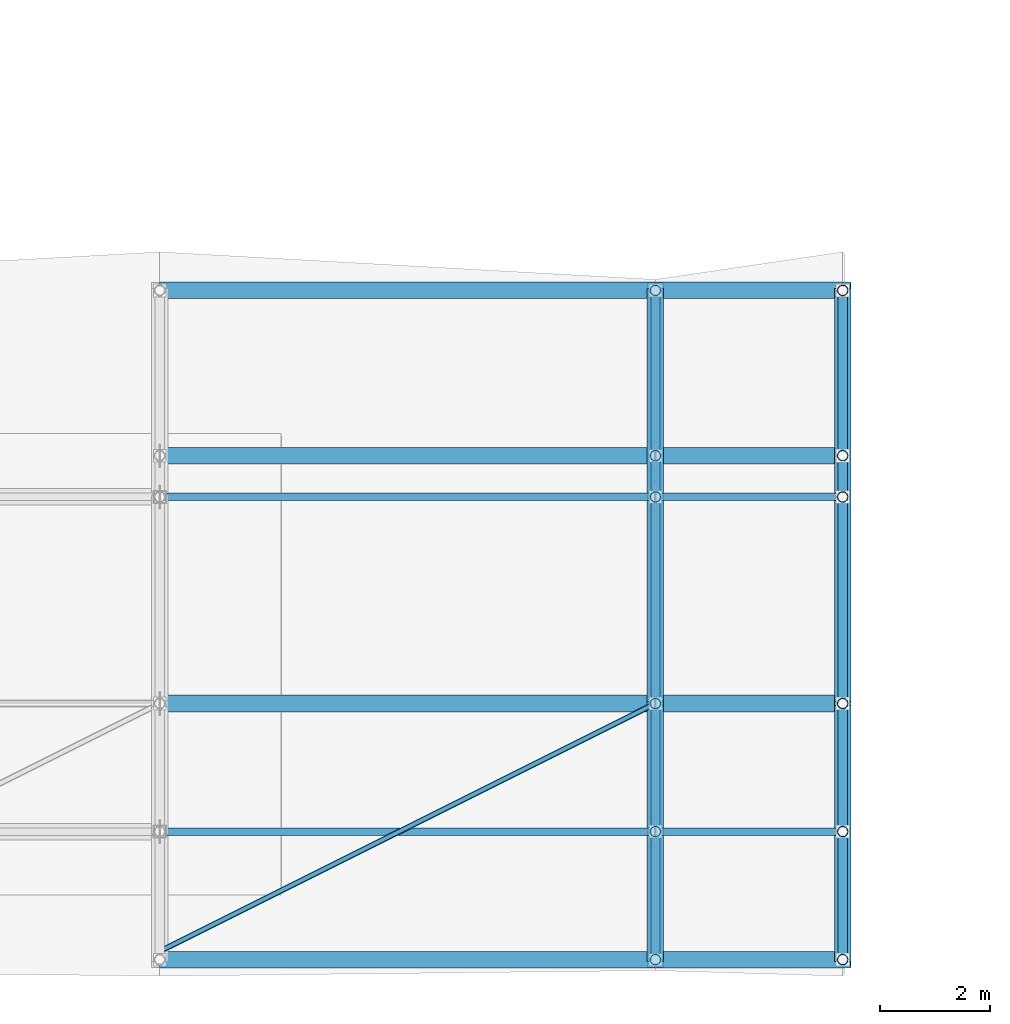
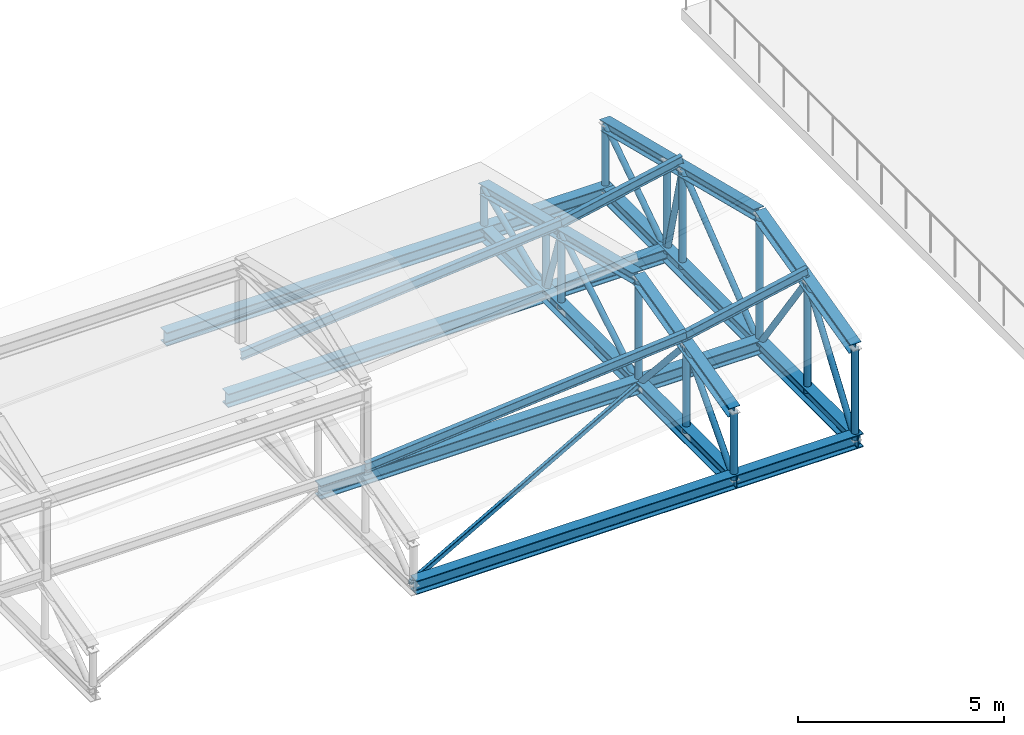
# One storey, part 16 of 55: 31 members, 6 beams.
"""IFC4 building model written with IfcOpenShell, lengths in metres."""

from ifc_helpers import new_model, si_unit, direction, frame, origin, origin_2d, place, context, subcontext, project, spatial, hollow_rectangle, hollow_circle, i_section, extrude, material, material_profile, profile_set, type_object, element, save


model = new_model("IFC4")

# Units and contexts
model_context = context("Model", 3, precision=1e-05, world=origin(), true_north=direction((0.0, 1.0)))
body_context = subcontext(model_context, "Body", "Model", "MODEL_VIEW")
ifc_project = project(units=[si_unit("LENGTHUNIT", "METRE"), si_unit("AREAUNIT", "SQUARE_METRE"), si_unit("VOLUMEUNIT", "CUBIC_METRE"), si_unit("PLANEANGLEUNIT", "RADIAN"), si_unit("MASSUNIT", "GRAM", prefix="KILO")], contexts=[model_context])

# Site, building, storey
site_placement = place(None, origin())
site = spatial("IfcSite", under=ifc_project, at=site_placement, CompositionType="ELEMENT")
building_placement = place(site_placement, origin())
building = spatial("IfcBuilding", under=site, at=building_placement, Name="Bozkorgan Art Gallery", CompositionType="ELEMENT")
storey_placement = place(building_placement, frame((0.0, 0.0, 15.0)))
storey = spatial("IfcBuildingStorey", under=building, at=storey_placement, Name="L03", CompositionType="ELEMENT", Elevation=15.0)

# Beams
ifc_material = material(Name="Steel S355J2", Category="steel")
ifc_material_profile_1 = material_profile(ifc_material, i_section(OverallWidth=0.300048828125, OverallDepth=0.39990234375, WebThickness=0.013427734375, FlangeThickness=0.02392578125, FilletRadius=0.027099609375, at=origin_2d()), Name="HEB 400")
ifc_profile_set_1 = profile_set([ifc_material_profile_1], Name="Steel S355J2")
beam_type = type_object("IfcBeamType", Name="BEAM-TO-32", PredefinedType="BEAM", material=ifc_profile_set_1)
for number, where, z_axis, x_axis, name in (
    (1, (110.0, 1.85009765625, 0.199951171875), (1.0, 0.0, 0.0), (0.0, 1.0, 0.0), "ROOF-V3-MAIN east overhang continuous truss chord 1"),
    (2, (110.0, 6.5, 0.199951171875), (1.0, 0.0, 0.0), (0.0, 1.0, 0.0), "ROOF-V3-MAIN east overhang continuous truss chord 2"),
    (3, (110.0, 11.0, 0.199951171875), (1.0, 0.0, 0.0), (0.0, 1.0, 0.0), "ROOF-V3-MAIN east overhang continuous truss chord 3"),
    (4, (110.0, 14.0, 0.199951171875), (1.0, 0.0, 0.0), (0.0, 1.0, 0.0), "ROOF-V3-MAIN east overhang continuous truss chord 4"),
):
    element("IfcBeam", number, at=place(storey_placement, frame(where, z_axis=z_axis, x_axis=x_axis)), inside=storey, type_object=beam_type, Name=name, PredefinedType="BEAM", context=body_context, shape_type="SweptSolid", body=[
        extrude(i_section(OverallWidth=0.300048828125, OverallDepth=0.39990234375, WebThickness=0.013427734375, FlangeThickness=0.02392578125, FilletRadius=0.027099609375, at=origin_2d()), origin(), (0.0, 0.0, 1.0), 12.5400390625),
    ])
for number, where, z_axis, x_axis, name in (
    (5, (119.0, 1.7099609375, 0.199951171875), (0.0, 1.0, 0.0), (-1.0, 0.0, 0.0), "ROOF-V3-MAIN roof truss 6 bottom chord"),
    (6, (122.39990234375, 1.7099609375, 0.199951171875), (0.0, 1.0, 0.0), (-1.0, 0.0, 0.0), "ROOF-V3-MAIN overhang fascia truss 7 bottom chord"),
):
    element("IfcBeam", number, at=place(storey_placement, frame(where, z_axis=z_axis, x_axis=x_axis)), inside=storey, type_object=beam_type, Name=name, PredefinedType="BEAM", context=body_context, shape_type="SweptSolid", body=[
        extrude(i_section(OverallWidth=0.300048828125, OverallDepth=0.39990234375, WebThickness=0.013427734375, FlangeThickness=0.02392578125, FilletRadius=0.027099609375, at=origin_2d()), origin(), (0.0, 0.0, 1.0), 12.429931640625),
    ])

# Members
ifc_material_profile_2 = material_profile(ifc_material, hollow_circle(Radius=0.096923828125, WallThickness=0.008056640625, at=origin_2d()), Name="CHS 193.7x8")
ifc_profile_set_2 = profile_set([ifc_material_profile_2], Name="Steel S355J2")
member_type_1 = type_object("IfcMemberType", Name="MEMBER-PO-46", PredefinedType="POST", material=ifc_profile_set_2)
member_1_placement = place(storey_placement, frame((122.39990234375, 1.85009765625, 0.199951171875), z_axis=(0.0, 0.0, 1.0), x_axis=(1.0, 0.0, 0.0)))
element("IfcMember", 7, at=member_1_placement, inside=storey, type_object=member_type_1, Name="ROOF-V3-MAIN roof truss 7 post 0", PredefinedType="POST", context=body_context, shape_type="SweptSolid", body=[
    extrude(hollow_circle(Radius=0.096923828125, WallThickness=0.008056640625, at=origin_2d()), origin(), (0.0, 0.0, 1.0), 2.705322265625),
])
member_2_placement = place(storey_placement, frame((122.39990234375, 4.175048828125, 0.199951171875), z_axis=(0.0, 0.0, 1.0), x_axis=(1.0, 0.0, 0.0)))
element("IfcMember", 8, at=member_2_placement, inside=storey, type_object=member_type_1, Name="ROOF-V3-MAIN roof truss 7 post 1", PredefinedType="POST", context=body_context, shape_type="SweptSolid", body=[
    extrude(hollow_circle(Radius=0.096923828125, WallThickness=0.008056640625, at=origin_2d()), origin(), (0.0, 0.0, 1.0), 3.284912109375),
])
member_3_placement = place(storey_placement, frame((122.39990234375, 6.5, 0.199951171875), z_axis=(0.0, 0.0, 1.0), x_axis=(1.0, 0.0, 0.0)))
element("IfcMember", 9, at=member_3_placement, inside=storey, type_object=member_type_1, Name="ROOF-V3-MAIN roof truss 7 post 2", PredefinedType="POST", context=body_context, shape_type="SweptSolid", body=[
    extrude(hollow_circle(Radius=0.096923828125, WallThickness=0.008056640625, at=origin_2d()), origin(), (0.0, 0.0, 1.0), 3.86474609375),
])
member_4_placement = place(storey_placement, frame((122.39990234375, 10.25, 0.199951171875), z_axis=(0.0, 0.0, 1.0), x_axis=(1.0, 0.0, 0.0)))
element("IfcMember", 10, at=member_4_placement, inside=storey, type_object=member_type_1, Name="ROOF-V3-MAIN roof truss 7 post 3", PredefinedType="POST", context=body_context, shape_type="SweptSolid", body=[
    extrude(hollow_circle(Radius=0.096923828125, WallThickness=0.008056640625, at=origin_2d()), origin(), (0.0, 0.0, 1.0), 2.9296875),
])
member_5_placement = place(storey_placement, frame((122.39990234375, 11.0, 0.199951171875), z_axis=(0.0, 0.0, 1.0), x_axis=(1.0, 0.0, 0.0)))
element("IfcMember", 11, at=member_5_placement, inside=storey, type_object=member_type_1, Name="ROOF-V3-MAIN roof truss 7 post 4", PredefinedType="POST", context=body_context, shape_type="SweptSolid", body=[
    extrude(hollow_circle(Radius=0.096923828125, WallThickness=0.008056640625, at=origin_2d()), origin(), (0.0, 0.0, 1.0), 2.74267578125),
])
member_6_placement = place(storey_placement, frame((122.39990234375, 14.0, 0.199951171875), z_axis=(0.0, 0.0, 1.0), x_axis=(1.0, 0.0, 0.0)))
element("IfcMember", 12, at=member_6_placement, inside=storey, type_object=member_type_1, Name="ROOF-V3-MAIN roof truss 7 post 5", PredefinedType="POST", context=body_context, shape_type="SweptSolid", body=[
    extrude(hollow_circle(Radius=0.096923828125, WallThickness=0.008056640625, at=origin_2d()), origin(), (0.0, 0.0, 1.0), 1.99462890625),
])
ifc_material_profile_3 = material_profile(ifc_material, i_section(OverallWidth=0.135009765625, OverallDepth=0.27001953125, WebThickness=0.006591796875, FlangeThickness=0.01025390625, FilletRadius=0.014892578125, at=origin_2d()), Name="IPE 270")
ifc_profile_set_3 = profile_set([ifc_material_profile_3], Name="Steel S355J2")
member_type_2 = type_object("IfcMemberType", Name="MEMBER-PR-57", PredefinedType="PURLIN", material=ifc_profile_set_3)
for number, where, z_axis, x_axis, name in (
    (13, (110.0, 4.175048828125, 2.29638671875), (0.996276805455, 0.0, 0.086212104205), (0.0, 1.0, 0.0), "ROOF-V3-MAIN roof purlin 5S"),
    (14, (110.0, 10.25, 1.941162109375), (0.996276805455, 0.0, 0.086212104205), (0.0, 1.0, 0.0), "ROOF-V3-MAIN roof purlin 5N"),
):
    element("IfcMember", number, at=place(storey_placement, frame(where, z_axis=z_axis, x_axis=x_axis)), inside=storey, type_object=member_type_2, Name=name, PredefinedType="PURLIN", context=body_context, shape_type="SweptSolid", body=[
        extrude(i_section(OverallWidth=0.135009765625, OverallDepth=0.27001953125, WebThickness=0.006591796875, FlangeThickness=0.01025390625, FilletRadius=0.014892578125, at=origin_2d()), origin(), (0.0, 0.0, 1.0), 9.03369140625),
    ])
for number, where, z_axis, x_axis, name in (
    (15, (119.0, 4.175048828125, 3.0751953125), (0.979472566385, 0.0, 0.201577507918), (0.0, 1.0, 0.0), "ROOF-V3-MAIN roof purlin 6S"),
    (16, (119.0, 10.25, 2.719970703125), (0.979472566385, 0.0, 0.201577507918), (0.0, 1.0, 0.0), "ROOF-V3-MAIN roof purlin 6N"),
):
    element("IfcMember", number, at=place(storey_placement, frame(where, z_axis=z_axis, x_axis=x_axis)), inside=storey, type_object=member_type_2, Name=name, PredefinedType="PURLIN", context=body_context, shape_type="SweptSolid", body=[
        extrude(i_section(OverallWidth=0.135009765625, OverallDepth=0.27001953125, WebThickness=0.006591796875, FlangeThickness=0.01025390625, FilletRadius=0.014892578125, at=origin_2d()), origin(), (0.0, 0.0, 1.0), 3.47119140625),
    ])
ifc_material_profile_4 = material_profile(ifc_material, i_section(OverallWidth=0.300048828125, OverallDepth=0.31005859375, WebThickness=0.009033203125, FlangeThickness=0.015380859375, FilletRadius=0.027099609375, at=origin_2d()), Name="HEA 320")
ifc_profile_set_4 = profile_set([ifc_material_profile_4], Name="Steel S355J2")
member_type_3 = type_object("IfcMemberType", Name="MEMBER-TC-13", PredefinedType="CHORD", material=ifc_profile_set_4)
member_7_placement = place(storey_placement, frame((119.0, 1.85009765625, 2.20556640625), z_axis=(0.0, 0.970292152268, 0.241936229713), x_axis=(-1.0, 0.0, 0.0)))
element("IfcMember", 17, at=member_7_placement, inside=storey, type_object=member_type_3, Name="ROOF-V3-MAIN roof truss 6 south top chord", PredefinedType="CHORD", context=body_context, shape_type="SweptSolid", body=[
    extrude(i_section(OverallWidth=0.300048828125, OverallDepth=0.31005859375, WebThickness=0.009033203125, FlangeThickness=0.015380859375, FilletRadius=0.027099609375, at=origin_2d()), origin(), (0.0, 0.0, 1.0), 4.792236328125),
])
member_8_placement = place(storey_placement, frame((119.0, 6.5, 3.364990234375), z_axis=(0.0, 0.970290953223, -0.241941038466), x_axis=(-1.0, 0.0, 0.0)))
element("IfcMember", 18, at=member_8_placement, inside=storey, type_object=member_type_3, Name="ROOF-V3-MAIN roof truss 6 north top chord", PredefinedType="CHORD", context=body_context, shape_type="SweptSolid", body=[
    extrude(i_section(OverallWidth=0.300048828125, OverallDepth=0.31005859375, WebThickness=0.009033203125, FlangeThickness=0.015380859375, FilletRadius=0.027099609375, at=origin_2d()), origin(), (0.0, 0.0, 1.0), 7.729736328125),
])
member_9_placement = place(storey_placement, frame((122.39990234375, 1.85009765625, 2.9052734375), z_axis=(0.0, 0.970292152268, 0.241936229713), x_axis=(-1.0, 0.0, 0.0)))
element("IfcMember", 19, at=member_9_placement, inside=storey, type_object=member_type_3, Name="ROOF-V3-MAIN roof truss 7 south top chord", PredefinedType="CHORD", context=body_context, shape_type="SweptSolid", body=[
    extrude(i_section(OverallWidth=0.300048828125, OverallDepth=0.31005859375, WebThickness=0.009033203125, FlangeThickness=0.015380859375, FilletRadius=0.027099609375, at=origin_2d()), origin(), (0.0, 0.0, 1.0), 4.792236328125),
])
member_10_placement = place(storey_placement, frame((122.39990234375, 6.5, 4.064697265625), z_axis=(0.0, 0.970290953223, -0.241941038466), x_axis=(-1.0, 0.0, 0.0)))
element("IfcMember", 20, at=member_10_placement, inside=storey, type_object=member_type_3, Name="ROOF-V3-MAIN roof truss 7 north top chord", PredefinedType="CHORD", context=body_context, shape_type="SweptSolid", body=[
    extrude(i_section(OverallWidth=0.300048828125, OverallDepth=0.31005859375, WebThickness=0.009033203125, FlangeThickness=0.015380859375, FilletRadius=0.027099609375, at=origin_2d()), origin(), (0.0, 0.0, 1.0), 7.729736328125),
])
ifc_material_profile_5 = material_profile(ifc_material, hollow_circle(Radius=0.096923828125, WallThickness=0.008056640625, at=origin_2d()), Name="CHS 193.7x8")
ifc_profile_set_5 = profile_set([ifc_material_profile_5], Name="Steel S355J2")
member_type_4 = type_object("IfcMemberType", Name="MEMBER-TP-46", PredefinedType="POST", material=ifc_profile_set_5)
member_11_placement = place(storey_placement, frame((119.0, 1.85009765625, 0.199951171875), z_axis=(0.0, 0.0, 1.0), x_axis=(1.0, 0.0, 0.0)))
element("IfcMember", 21, at=member_11_placement, inside=storey, type_object=member_type_4, Name="ROOF-V3-MAIN roof truss 6 post 0", PredefinedType="POST", context=body_context, shape_type="SweptSolid", body=[
    extrude(hollow_circle(Radius=0.096923828125, WallThickness=0.008056640625, at=origin_2d()), origin(), (0.0, 0.0, 1.0), 2.005615234375),
])
member_12_placement = place(storey_placement, frame((119.0, 4.175048828125, 0.199951171875), z_axis=(0.0, 0.0, 1.0), x_axis=(1.0, 0.0, 0.0)))
element("IfcMember", 22, at=member_12_placement, inside=storey, type_object=member_type_4, Name="ROOF-V3-MAIN roof truss 6 post 1", PredefinedType="POST", context=body_context, shape_type="SweptSolid", body=[
    extrude(hollow_circle(Radius=0.096923828125, WallThickness=0.008056640625, at=origin_2d()), origin(), (0.0, 0.0, 1.0), 2.585205078125),
])
member_13_placement = place(storey_placement, frame((119.0, 6.5, 0.199951171875), z_axis=(0.0, 0.0, 1.0), x_axis=(1.0, 0.0, 0.0)))
element("IfcMember", 23, at=member_13_placement, inside=storey, type_object=member_type_4, Name="ROOF-V3-MAIN roof truss 6 post 2", PredefinedType="POST", context=body_context, shape_type="SweptSolid", body=[
    extrude(hollow_circle(Radius=0.096923828125, WallThickness=0.008056640625, at=origin_2d()), origin(), (0.0, 0.0, 1.0), 3.1650390625),
])
member_14_placement = place(storey_placement, frame((119.0, 10.25, 0.199951171875), z_axis=(0.0, 0.0, 1.0), x_axis=(1.0, 0.0, 0.0)))
element("IfcMember", 24, at=member_14_placement, inside=storey, type_object=member_type_4, Name="ROOF-V3-MAIN roof truss 6 post 3", PredefinedType="POST", context=body_context, shape_type="SweptSolid", body=[
    extrude(hollow_circle(Radius=0.096923828125, WallThickness=0.008056640625, at=origin_2d()), origin(), (0.0, 0.0, 1.0), 2.22998046875),
])
member_15_placement = place(storey_placement, frame((119.0, 11.0, 0.199951171875), z_axis=(0.0, 0.0, 1.0), x_axis=(1.0, 0.0, 0.0)))
element("IfcMember", 25, at=member_15_placement, inside=storey, type_object=member_type_4, Name="ROOF-V3-MAIN roof truss 6 post 4", PredefinedType="POST", context=body_context, shape_type="SweptSolid", body=[
    extrude(hollow_circle(Radius=0.096923828125, WallThickness=0.008056640625, at=origin_2d()), origin(), (0.0, 0.0, 1.0), 2.04296875),
])
member_16_placement = place(storey_placement, frame((119.0, 14.0, 0.199951171875), z_axis=(0.0, 0.0, 1.0), x_axis=(1.0, 0.0, 0.0)))
element("IfcMember", 26, at=member_16_placement, inside=storey, type_object=member_type_4, Name="ROOF-V3-MAIN roof truss 6 post 5", PredefinedType="POST", context=body_context, shape_type="SweptSolid", body=[
    extrude(hollow_circle(Radius=0.096923828125, WallThickness=0.008056640625, at=origin_2d()), origin(), (0.0, 0.0, 1.0), 1.294921875),
])
ifc_material_profile_6 = material_profile(ifc_material, hollow_circle(Radius=0.084228515625, WallThickness=0.008056640625, at=origin_2d()), Name="CHS 168.3x8")
ifc_profile_set_6 = profile_set([ifc_material_profile_6], Name="Steel S355J2")
member_type_5 = type_object("IfcMemberType", Name="MEMBER-TW-40", PredefinedType="BRACE", material=ifc_profile_set_6)
for number, where, z_axis, x_axis, name in (
    (27, (119.0, 1.85009765625, 0.199951171875), (0.0, 0.668689243587, 0.743541993105), (-1.0, 0.0, 0.0), "ROOF-V3-MAIN roof truss 6 diagonal 1"),
    (28, (119.0, 4.175048828125, 2.78515625), (0.0, 0.668689243587, -0.743541993105), (-1.0, 0.0, 0.0), "ROOF-V3-MAIN roof truss 6 diagonal 2"),
):
    element("IfcMember", number, at=place(storey_placement, frame(where, z_axis=z_axis, x_axis=x_axis)), inside=storey, type_object=member_type_5, Name=name, PredefinedType="BRACE", context=body_context, shape_type="SweptSolid", body=[
        extrude(hollow_circle(Radius=0.084228515625, WallThickness=0.008056640625, at=origin_2d()), origin(), (0.0, 0.0, 1.0), 3.476806640625),
    ])
member_17_placement = place(storey_placement, frame((119.0, 6.5, 0.199951171875), z_axis=(0.0, 0.859510641069, 0.511117851271), x_axis=(-1.0, 0.0, 0.0)))
element("IfcMember", 29, at=member_17_placement, inside=storey, type_object=member_type_5, Name="ROOF-V3-MAIN roof truss 6 diagonal 3", PredefinedType="BRACE", context=body_context, shape_type="SweptSolid", body=[
    extrude(hollow_circle(Radius=0.084228515625, WallThickness=0.008056640625, at=origin_2d()), origin(), (0.0, 0.0, 1.0), 4.363037109375),
])
member_18_placement = place(storey_placement, frame((119.0, 10.25, 2.429931640625), z_axis=(0.0, 0.318779346434, -0.947828955185), x_axis=(-1.0, 0.0, 0.0)))
element("IfcMember", 30, at=member_18_placement, inside=storey, type_object=member_type_5, Name="ROOF-V3-MAIN roof truss 6 diagonal 4", PredefinedType="BRACE", context=body_context, shape_type="SweptSolid", body=[
    extrude(hollow_circle(Radius=0.084228515625, WallThickness=0.008056640625, at=origin_2d()), origin(), (0.0, 0.0, 1.0), 2.352783203125),
])
member_19_placement = place(storey_placement, frame((119.0, 11.0, 0.199951171875), z_axis=(0.0, 0.91812167442, 0.396298613373), x_axis=(-1.0, 0.0, 0.0)))
element("IfcMember", 31, at=member_19_placement, inside=storey, type_object=member_type_5, Name="ROOF-V3-MAIN roof truss 6 diagonal 5", PredefinedType="BRACE", context=body_context, shape_type="SweptSolid", body=[
    extrude(hollow_circle(Radius=0.084228515625, WallThickness=0.008056640625, at=origin_2d()), origin(), (0.0, 0.0, 1.0), 3.267578125),
])
for number, where, z_axis, x_axis, name in (
    (32, (122.39990234375, 1.85009765625, 0.199951171875), (0.0, 0.57770927757, 0.81624260524), (-1.0, 0.0, 0.0), "ROOF-V3-MAIN roof truss 7 diagonal 1"),
    (33, (122.39990234375, 4.175048828125, 3.48486328125), (0.0, 0.57770927757, -0.81624260524), (-1.0, 0.0, 0.0), "ROOF-V3-MAIN roof truss 7 diagonal 2"),
):
    element("IfcMember", number, at=place(storey_placement, frame(where, z_axis=z_axis, x_axis=x_axis)), inside=storey, type_object=member_type_5, Name=name, PredefinedType="BRACE", context=body_context, shape_type="SweptSolid", body=[
        extrude(hollow_circle(Radius=0.084228515625, WallThickness=0.008056640625, at=origin_2d()), origin(), (0.0, 0.0, 1.0), 4.0244140625),
    ])
member_20_placement = place(storey_placement, frame((122.39990234375, 6.5, 0.199951171875), z_axis=(0.0, 0.788024373725, 0.615644041972), x_axis=(-1.0, 0.0, 0.0)))
element("IfcMember", 34, at=member_20_placement, inside=storey, type_object=member_type_5, Name="ROOF-V3-MAIN roof truss 7 diagonal 3", PredefinedType="BRACE", context=body_context, shape_type="SweptSolid", body=[
    extrude(hollow_circle(Radius=0.084228515625, WallThickness=0.008056640625, at=origin_2d()), origin(), (0.0, 0.0, 1.0), 4.7587890625),
])
member_21_placement = place(storey_placement, frame((122.39990234375, 10.25, 3.129638671875), z_axis=(0.0, 0.248002410285, -0.968759415176), x_axis=(-1.0, 0.0, 0.0)))
element("IfcMember", 35, at=member_21_placement, inside=storey, type_object=member_type_5, Name="ROOF-V3-MAIN roof truss 7 diagonal 4", PredefinedType="BRACE", context=body_context, shape_type="SweptSolid", body=[
    extrude(hollow_circle(Radius=0.084228515625, WallThickness=0.008056640625, at=origin_2d()), origin(), (0.0, 0.0, 1.0), 3.024169921875),
])
member_22_placement = place(storey_placement, frame((122.39990234375, 11.0, 0.199951171875), z_axis=(0.0, 0.832737763764, 0.553667604977), x_axis=(-1.0, 0.0, 0.0)))
element("IfcMember", 36, at=member_22_placement, inside=storey, type_object=member_type_5, Name="ROOF-V3-MAIN roof truss 7 diagonal 5", PredefinedType="BRACE", context=body_context, shape_type="SweptSolid", body=[
    extrude(hollow_circle(Radius=0.084228515625, WallThickness=0.008056640625, at=origin_2d()), origin(), (0.0, 0.0, 1.0), 3.6025390625),
])
ifc_material_profile_7 = material_profile(ifc_material, hollow_rectangle(XDim=0.10009765625, YDim=0.14990234375, WallThickness=0.008056640625, InnerFilletRadius=0.011962890625, OuterFilletRadius=0.02001953125, at=origin_2d()), Name="RHS 150x100x8")
ifc_profile_set_7 = profile_set([ifc_material_profile_7], Name="Steel S355J2")
member_type_6 = type_object("IfcMemberType", Name="MEMBER-WB-10", PredefinedType="BRACE", material=ifc_profile_set_7)
member_23_placement = place(storey_placement, frame((110.0, 2.0, 0.199951171875), z_axis=(0.894427191, 0.4472135955, 0.0), x_axis=(-0.4472135955, 0.894427191, 0.0)))
element("IfcMember", 37, at=member_23_placement, inside=storey, type_object=member_type_6, Name="ROOF-V3-MAIN roof diaphragm wind brace 4", PredefinedType="BRACE", context=body_context, shape_type="SweptSolid", body=[
    extrude(hollow_rectangle(XDim=0.10009765625, YDim=0.14990234375, WallThickness=0.008056640625, InnerFilletRadius=0.011962890625, OuterFilletRadius=0.02001953125, at=origin_2d()), origin(), (0.0, 0.0, 1.0), 10.062255859375),
])

save(model, "model.ifc")
